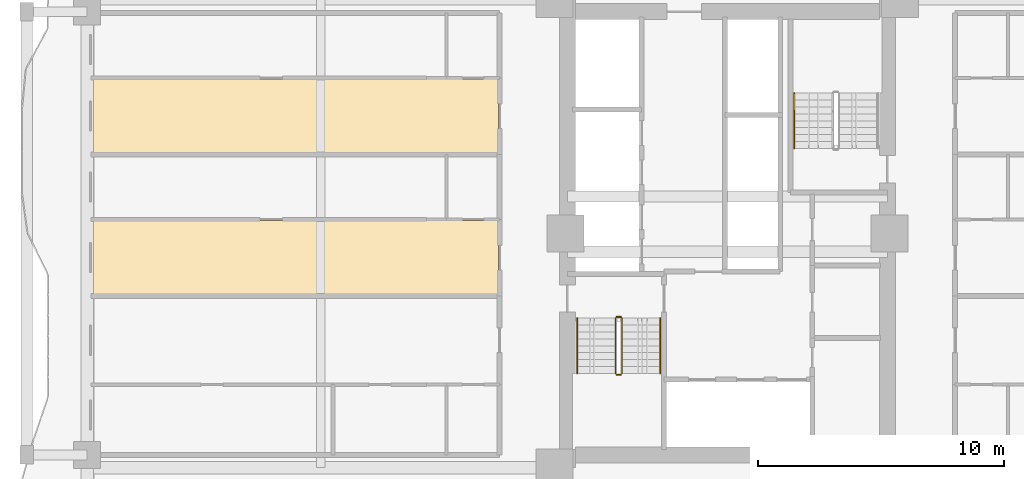
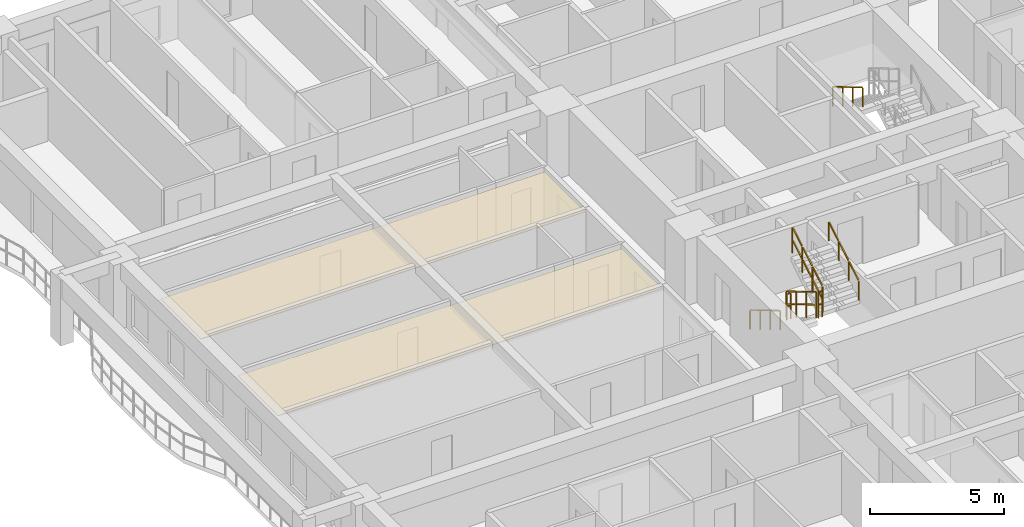
# One storey, part 13 of 16: 7 railings, 2 coverings.
"""IFC4 building model written with IfcOpenShell, lengths in metres."""

from ifc_helpers import new_model, si_unit, direction, frame, origin, origin_2d, place, context, subcontext, project, spatial, polyline, rectangle, outline, extrude, material, layer, layer_set, type_object, element, save


model = new_model("IFC4")

# Units and contexts
model_context = context("Model", 3, precision=1e-05, world=origin(), true_north=direction((0.0, 1.0)))
body_context = subcontext(model_context, "Body", "Model", "MODEL_VIEW")
ifc_project = project(units=[si_unit("LENGTHUNIT", "METRE"), si_unit("AREAUNIT", "SQUARE_METRE"), si_unit("VOLUMEUNIT", "CUBIC_METRE"), si_unit("PLANEANGLEUNIT", "RADIAN"), si_unit("MASSUNIT", "GRAM", prefix="KILO")], contexts=[model_context])

# Site, building, storey
site_placement = place(None, origin())
site = spatial("IfcSite", under=ifc_project, at=site_placement, CompositionType="ELEMENT")
building_placement = place(site_placement, origin())
building = spatial("IfcBuilding", under=site, at=building_placement, Name="Saelheon Loggia Tower", CompositionType="ELEMENT")
storey_placement = place(building_placement, frame((0.0, 0.0, 58.39990234375)))
storey = spatial("IfcBuildingStorey", under=building, at=storey_placement, Name="L18", CompositionType="ELEMENT", Elevation=58.39990234375)

# Coverings
ifc_material_1 = material(Name="Mineral-Fibre Acoustic Ceiling Board", Category="gypsum")
ifc_layer = layer(ifc_material_1, 0.02490234375)
ifc_layer_set = layer_set([ifc_layer], Name="Mineral-Fibre Acoustic Ceiling Board")
covering_type = type_object("IfcCoveringType", Name="Cov_Ceiling_Acoustic", PredefinedType="CEILING", material=ifc_layer_set)
covering_1_placement = place(storey_placement, frame((0.0, 0.0, 2.53515625)))
element("IfcCovering", 1, at=covering_1_placement, inside=storey, type_object=covering_type, Name="L18 Acoustic Suspended Ceiling", PredefinedType="CEILING", context=body_context, shape_type="SweptSolid", body=[
    extrude(outline(polyline([(12.199951171875, 24.511962890625), (28.699951171875, 24.511962890625), (28.699951171875, 27.513916015625), (12.199951171875, 27.513916015625), (12.199951171875, 24.511962890625)])), origin(), (0.0, 0.0, 1.0), 0.02490234375),
])
covering_2_placement = place(storey_placement, frame((0.0, 0.0, 2.53515625)))
element("IfcCovering", 2, at=covering_2_placement, inside=storey, type_object=covering_type, Name="L18 Acoustic Suspended Ceiling", PredefinedType="CEILING", context=body_context, shape_type="SweptSolid", body=[
    extrude(outline(polyline([(12.199951171875, 30.256103515625), (28.699951171875, 30.256103515625), (28.699951171875, 33.2578125), (12.199951171875, 33.2578125), (12.199951171875, 30.256103515625)])), origin(), (0.0, 0.0, 1.0), 0.02490234375),
])

# Railings
ifc_material_2 = material(Name="Galvanised Steel S275 Stairwell Guardrail", Category="steel")
railing_type_1 = type_object("IfcRailingType", Name="Guard_StairWell_RL_STG", PredefinedType="GUARDRAIL", material=ifc_material_2)
railing_1_placement = place(storey_placement, frame((33.4599609375, 23.550048828125, 0.166748046875)))
element("IfcRailing", 3, at=railing_1_placement, inside=storey, type_object=railing_type_1, Name="L18 ST1 stair guard 1", PredefinedType="GUARDRAIL", context=body_context, shape_type="SweptSolid", body=[
    extrude(rectangle(XDim=0.048095703125, YDim=0.048095703125, at=origin_2d()), frame((0.0, -0.028564453125, 1.19287109375), z_axis=(0.0, -0.859305625298, 0.511462454469), x_axis=(1.0, 0.0, 0.0)), (0.0, 0.0, 1.0), 0.802490234375),
    extrude(rectangle(XDim=0.048095703125, YDim=0.048095703125, at=origin_2d()), frame((0.0, -0.028564453125, 0.616943359375), z_axis=(0.0, -0.859305625298, 0.511462454469), x_axis=(1.0, 0.0, 0.0)), (0.0, 0.0, 1.0), 0.802490234375),
    extrude(rectangle(XDim=0.048095703125, YDim=0.048095703125, at=origin_2d()), frame((0.0, -0.775146484375, 1.63720703125), z_axis=(0.0, -0.859305625298, 0.511462454469), x_axis=(1.0, 0.0, 0.0)), (0.0, 0.0, 1.0), 0.802490234375),
    extrude(rectangle(XDim=0.048095703125, YDim=0.048095703125, at=origin_2d()), frame((0.0, -0.775146484375, 1.061279296875), z_axis=(0.0, -0.859305625298, 0.511462454469), x_axis=(1.0, 0.0, 0.0)), (0.0, 0.0, 1.0), 0.802490234375),
    extrude(rectangle(XDim=0.048095703125, YDim=0.048095703125, at=origin_2d()), frame((0.0, -1.52197265625, 2.081787109375), z_axis=(0.0, -0.859305625298, 0.511462454469), x_axis=(1.0, 0.0, 0.0)), (0.0, 0.0, 1.0), 0.802490234375),
    extrude(rectangle(XDim=0.048095703125, YDim=0.048095703125, at=origin_2d()), frame((0.0, -1.52197265625, 1.505859375), z_axis=(0.0, -0.859305625298, 0.511462454469), x_axis=(1.0, 0.0, 0.0)), (0.0, 0.0, 1.0), 0.802490234375),
    extrude(rectangle(XDim=0.0419921875, YDim=0.0419921875, at=origin_2d()), origin(), (0.0, 0.0, 1.0), 1.14794921875),
    extrude(rectangle(XDim=0.0419921875, YDim=0.0419921875, at=origin_2d()), frame((0.0, -0.74658203125, 0.4443359375)), (0.0, 0.0, 1.0), 1.14794921875),
    extrude(rectangle(XDim=0.0419921875, YDim=0.0419921875, at=origin_2d()), frame((0.0, -1.493408203125, 0.888916015625)), (0.0, 0.0, 1.0), 1.14794921875),
    extrude(rectangle(XDim=0.0419921875, YDim=0.0419921875, at=origin_2d()), frame((0.0, -2.239990234375, 1.333251953125)), (0.0, 0.0, 1.0), 1.14794921875),
])
railing_2_placement = place(storey_placement, frame((33.510009765625, 21.260009765625, 1.5)))
element("IfcRailing", 4, at=railing_2_placement, inside=storey, type_object=railing_type_1, Name="L18 ST1 stair guard 2", PredefinedType="GUARDRAIL", context=body_context, shape_type="SweptSolid", body=[
    extrude(rectangle(XDim=0.048095703125, YDim=0.048095703125, at=origin_2d()), frame((0.033203125, 0.0, 1.17578125), z_axis=(1.0, 0.0, 0.0), x_axis=(0.0, 1.0, 0.0)), (0.0, 0.0, 1.0), 0.093505859375),
    extrude(rectangle(XDim=0.048095703125, YDim=0.048095703125, at=origin_2d()), frame((0.033203125, 0.0, 0.60009765625), z_axis=(1.0, 0.0, 0.0), x_axis=(0.0, 1.0, 0.0)), (0.0, 0.0, 1.0), 0.093505859375),
    extrude(rectangle(XDim=0.0419921875, YDim=0.0419921875, at=origin_2d()), origin(), (0.0, 0.0, 1.0), 1.14794921875),
    extrude(rectangle(XDim=0.0419921875, YDim=0.0419921875, at=origin_2d()), frame((0.159912109375, 0.0, 0.0)), (0.0, 0.0, 1.0), 1.14794921875),
])
railing_3_placement = place(storey_placement, frame((33.719970703125, 21.31005859375, 1.666748046875)))
element("IfcRailing", 5, at=railing_3_placement, inside=storey, type_object=railing_type_1, Name="L18 ST1 stair guard 3", PredefinedType="GUARDRAIL", context=body_context, shape_type="SweptSolid", body=[
    extrude(rectangle(XDim=0.048095703125, YDim=0.048095703125, at=origin_2d()), frame((0.0, 0.028564453125, 1.19287109375), z_axis=(0.0, 0.859305625298, 0.511462454469), x_axis=(-1.0, 0.0, 0.0)), (0.0, 0.0, 1.0), 0.802490234375),
    extrude(rectangle(XDim=0.048095703125, YDim=0.048095703125, at=origin_2d()), frame((0.0, 0.028564453125, 0.616943359375), z_axis=(0.0, 0.859305625298, 0.511462454469), x_axis=(-1.0, 0.0, 0.0)), (0.0, 0.0, 1.0), 0.802490234375),
    extrude(rectangle(XDim=0.048095703125, YDim=0.048095703125, at=origin_2d()), frame((0.0, 0.775146484375, 1.63720703125), z_axis=(0.0, 0.859305625298, 0.511462454469), x_axis=(-1.0, 0.0, 0.0)), (0.0, 0.0, 1.0), 0.802490234375),
    extrude(rectangle(XDim=0.048095703125, YDim=0.048095703125, at=origin_2d()), frame((0.0, 0.775146484375, 1.061279296875), z_axis=(0.0, 0.859305625298, 0.511462454469), x_axis=(-1.0, 0.0, 0.0)), (0.0, 0.0, 1.0), 0.802490234375),
    extrude(rectangle(XDim=0.048095703125, YDim=0.048095703125, at=origin_2d()), frame((0.0, 1.52197265625, 2.081787109375), z_axis=(0.0, 0.859305625298, 0.511462454469), x_axis=(-1.0, 0.0, 0.0)), (0.0, 0.0, 1.0), 0.802490234375),
    extrude(rectangle(XDim=0.048095703125, YDim=0.048095703125, at=origin_2d()), frame((0.0, 1.52197265625, 1.505859375), z_axis=(0.0, 0.859305625298, 0.511462454469), x_axis=(-1.0, 0.0, 0.0)), (0.0, 0.0, 1.0), 0.802490234375),
    extrude(rectangle(XDim=0.0419921875, YDim=0.0419921875, at=origin_2d()), origin(), (0.0, 0.0, 1.0), 1.14794921875),
    extrude(rectangle(XDim=0.0419921875, YDim=0.0419921875, at=origin_2d()), frame((0.0, 0.74658203125, 0.4443359375)), (0.0, 0.0, 1.0), 1.14794921875),
    extrude(rectangle(XDim=0.0419921875, YDim=0.0419921875, at=origin_2d()), frame((0.0, 1.493408203125, 0.888916015625)), (0.0, 0.0, 1.0), 1.14794921875),
    extrude(rectangle(XDim=0.0419921875, YDim=0.0419921875, at=origin_2d()), frame((0.0, 2.239990234375, 1.333251953125)), (0.0, 0.0, 1.0), 1.14794921875),
])
railing_4_placement = place(storey_placement, frame((33.510009765625, 23.60009765625, 0.0)))
element("IfcRailing", 6, at=railing_4_placement, inside=storey, type_object=railing_type_1, Name="L18 ST1 stair guard 4", PredefinedType="GUARDRAIL", context=body_context, shape_type="SweptSolid", body=[
    extrude(rectangle(XDim=0.048095703125, YDim=0.048095703125, at=origin_2d()), frame((0.033203125, 0.0, 1.17578125), z_axis=(1.0, 0.0, 0.0), x_axis=(0.0, 1.0, 0.0)), (0.0, 0.0, 1.0), 0.093505859375),
    extrude(rectangle(XDim=0.048095703125, YDim=0.048095703125, at=origin_2d()), frame((0.033203125, 0.0, 0.60009765625), z_axis=(1.0, 0.0, 0.0), x_axis=(0.0, 1.0, 0.0)), (0.0, 0.0, 1.0), 0.093505859375),
    extrude(rectangle(XDim=0.0419921875, YDim=0.0419921875, at=origin_2d()), origin(), (0.0, 0.0, 1.0), 1.14794921875),
    extrude(rectangle(XDim=0.0419921875, YDim=0.0419921875, at=origin_2d()), frame((0.159912109375, 0.0, 0.0)), (0.0, 0.0, 1.0), 1.14794921875),
])
ifc_material_3 = material(Name="Stainless Steel 304 Tubular Handrail", Category="steel")
railing_type_2 = type_object("IfcRailingType", Name="Handrail_Stair_RL_HR1", PredefinedType="HANDRAIL", material=ifc_material_3)
railing_5_placement = place(storey_placement, frame((31.89990234375, 23.550048828125, 0.166748046875)))
element("IfcRailing", 7, at=railing_5_placement, inside=storey, type_object=railing_type_2, Name="L18 ST1 stair handrail 1", PredefinedType="HANDRAIL", context=body_context, shape_type="SweptSolid", body=[
    extrude(rectangle(XDim=0.048095703125, YDim=0.048095703125, at=origin_2d()), frame((0.0, -0.028564453125, 0.892822265625), z_axis=(0.0, -0.859305625298, 0.511462454469), x_axis=(1.0, 0.0, 0.0)), (0.0, 0.0, 1.0), 0.802490234375),
    extrude(rectangle(XDim=0.048095703125, YDim=0.048095703125, at=origin_2d()), frame((0.0, -0.775146484375, 1.337158203125), z_axis=(0.0, -0.859305625298, 0.511462454469), x_axis=(1.0, 0.0, 0.0)), (0.0, 0.0, 1.0), 0.802490234375),
    extrude(rectangle(XDim=0.048095703125, YDim=0.048095703125, at=origin_2d()), frame((0.0, -1.52197265625, 1.78173828125), z_axis=(0.0, -0.859305625298, 0.511462454469), x_axis=(1.0, 0.0, 0.0)), (0.0, 0.0, 1.0), 0.802490234375),
    extrude(rectangle(XDim=0.0419921875, YDim=0.0419921875, at=origin_2d()), origin(), (0.0, 0.0, 1.0), 0.847900390625),
    extrude(rectangle(XDim=0.0419921875, YDim=0.0419921875, at=origin_2d()), frame((0.0, -0.74658203125, 0.4443359375)), (0.0, 0.0, 1.0), 0.847900390625),
    extrude(rectangle(XDim=0.0419921875, YDim=0.0419921875, at=origin_2d()), frame((0.0, -1.493408203125, 0.888916015625)), (0.0, 0.0, 1.0), 0.847900390625),
    extrude(rectangle(XDim=0.0419921875, YDim=0.0419921875, at=origin_2d()), frame((0.0, -2.239990234375, 1.333251953125)), (0.0, 0.0, 1.0), 0.847900390625),
])
railing_6_placement = place(storey_placement, frame((35.280029296875, 21.31005859375, 1.666748046875)))
element("IfcRailing", 8, at=railing_6_placement, inside=storey, type_object=railing_type_2, Name="L18 ST1 stair handrail 2", PredefinedType="HANDRAIL", context=body_context, shape_type="SweptSolid", body=[
    extrude(rectangle(XDim=0.048095703125, YDim=0.048095703125, at=origin_2d()), frame((0.0, 0.028564453125, 0.892822265625), z_axis=(0.0, 0.859305625298, 0.511462454469), x_axis=(-1.0, 0.0, 0.0)), (0.0, 0.0, 1.0), 0.802490234375),
    extrude(rectangle(XDim=0.048095703125, YDim=0.048095703125, at=origin_2d()), frame((0.0, 0.775146484375, 1.337158203125), z_axis=(0.0, 0.859305625298, 0.511462454469), x_axis=(-1.0, 0.0, 0.0)), (0.0, 0.0, 1.0), 0.802490234375),
    extrude(rectangle(XDim=0.048095703125, YDim=0.048095703125, at=origin_2d()), frame((0.0, 1.52197265625, 1.78173828125), z_axis=(0.0, 0.859305625298, 0.511462454469), x_axis=(-1.0, 0.0, 0.0)), (0.0, 0.0, 1.0), 0.802490234375),
    extrude(rectangle(XDim=0.0419921875, YDim=0.0419921875, at=origin_2d()), origin(), (0.0, 0.0, 1.0), 0.847900390625),
    extrude(rectangle(XDim=0.0419921875, YDim=0.0419921875, at=origin_2d()), frame((0.0, 0.74658203125, 0.4443359375)), (0.0, 0.0, 1.0), 0.847900390625),
    extrude(rectangle(XDim=0.0419921875, YDim=0.0419921875, at=origin_2d()), frame((0.0, 1.493408203125, 0.888916015625)), (0.0, 0.0, 1.0), 0.847900390625),
    extrude(rectangle(XDim=0.0419921875, YDim=0.0419921875, at=origin_2d()), frame((0.0, 2.239990234375, 1.333251953125)), (0.0, 0.0, 1.0), 0.847900390625),
])
railing_7_placement = place(storey_placement, frame((40.719970703125, 32.68994140625, 1.666748046875)))
element("IfcRailing", 9, at=railing_7_placement, inside=storey, type_object=railing_type_2, Name="L18 ST2 stair handrail 2", PredefinedType="HANDRAIL", context=body_context, shape_type="SweptSolid", body=[
    extrude(rectangle(XDim=0.048095703125, YDim=0.048095703125, at=origin_2d()), frame((0.0, -0.028564453125, 0.892822265625), z_axis=(0.0, -0.859305625298, 0.511462454469), x_axis=(1.0, 0.0, 0.0)), (0.0, 0.0, 1.0), 0.802490234375),
    extrude(rectangle(XDim=0.048095703125, YDim=0.048095703125, at=origin_2d()), frame((0.0, -0.775146484375, 1.337158203125), z_axis=(0.0, -0.859305625298, 0.511462454469), x_axis=(1.0, 0.0, 0.0)), (0.0, 0.0, 1.0), 0.802490234375),
    extrude(rectangle(XDim=0.048095703125, YDim=0.048095703125, at=origin_2d()), frame((0.0, -1.52197265625, 1.78173828125), z_axis=(0.0, -0.859305625298, 0.511462454469), x_axis=(1.0, 0.0, 0.0)), (0.0, 0.0, 1.0), 0.802490234375),
    extrude(rectangle(XDim=0.0419921875, YDim=0.0419921875, at=origin_2d()), origin(), (0.0, 0.0, 1.0), 0.847900390625),
    extrude(rectangle(XDim=0.0419921875, YDim=0.0419921875, at=origin_2d()), frame((0.0, -0.74658203125, 0.4443359375)), (0.0, 0.0, 1.0), 0.847900390625),
    extrude(rectangle(XDim=0.0419921875, YDim=0.0419921875, at=origin_2d()), frame((0.0, -1.493408203125, 0.888916015625)), (0.0, 0.0, 1.0), 0.847900390625),
    extrude(rectangle(XDim=0.0419921875, YDim=0.0419921875, at=origin_2d()), frame((0.0, -2.239990234375, 1.333251953125)), (0.0, 0.0, 1.0), 0.847900390625),
])

save(model, "model.ifc")
